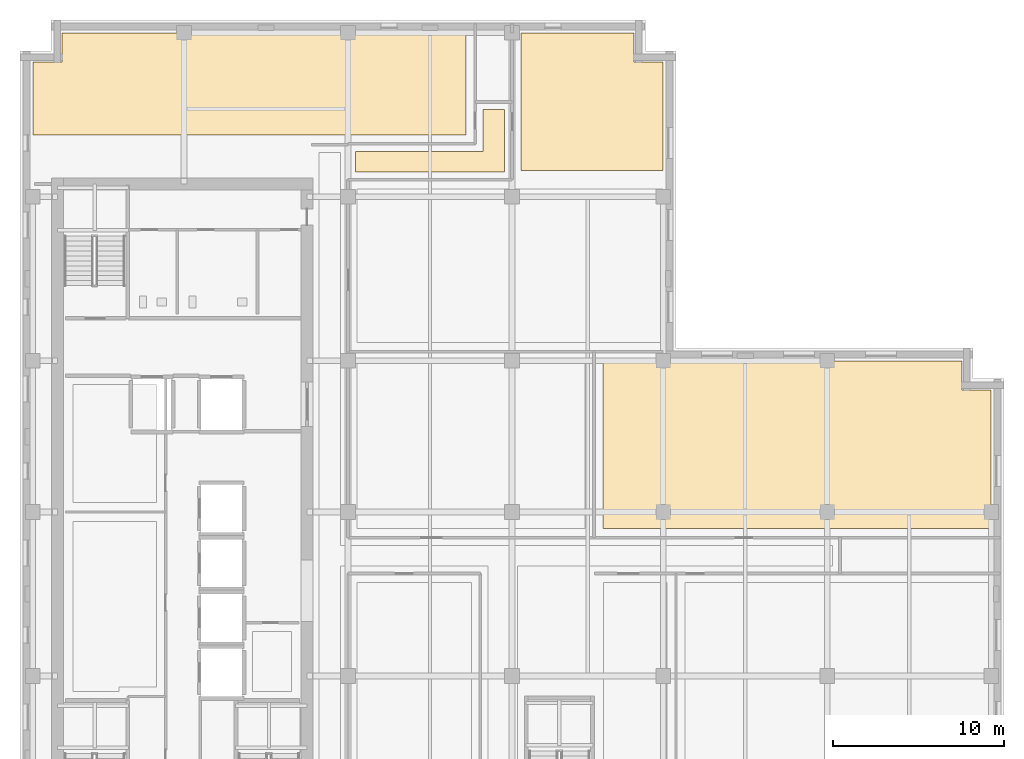
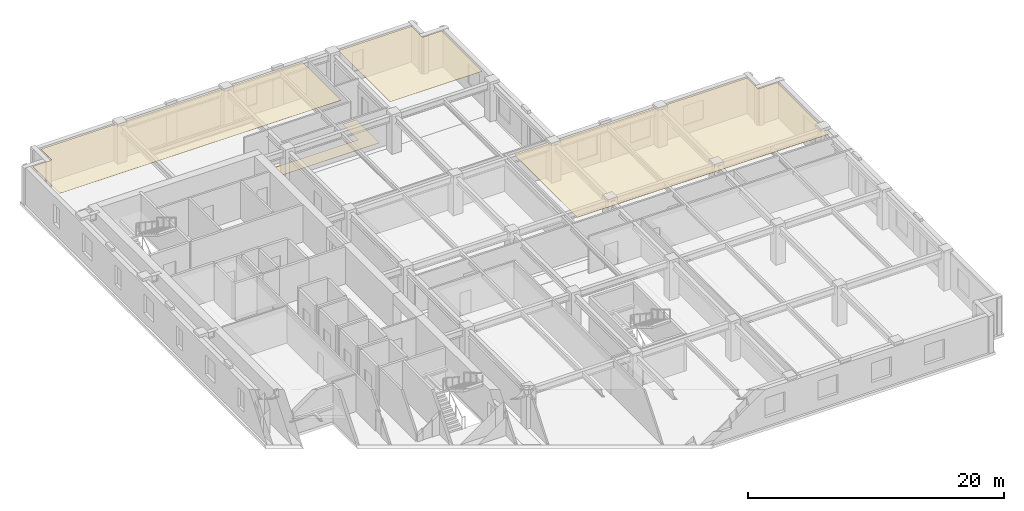
# One storey, part 13 of 14: 4 coverings.
"""IFC4 building model written with IfcOpenShell, lengths in metres."""

from ifc_helpers import new_model, si_unit, direction, frame, origin, place, context, subcontext, project, spatial, polyline, outline, extrude, material, layer, layer_set, type_object, element, save


model = new_model("IFC4")

# Units and contexts
model_context = context("Model", 3, precision=1e-05, world=origin(), true_north=direction((0.0, 1.0)))
body_context = subcontext(model_context, "Body", "Model", "MODEL_VIEW")
ifc_project = project(units=[si_unit("LENGTHUNIT", "METRE"), si_unit("AREAUNIT", "SQUARE_METRE"), si_unit("VOLUMEUNIT", "CUBIC_METRE"), si_unit("PLANEANGLEUNIT", "RADIAN"), si_unit("MASSUNIT", "GRAM", prefix="KILO")], contexts=[model_context])

# Site, building, storey
site_placement = place(None, origin())
site = spatial("IfcSite", under=ifc_project, at=site_placement, CompositionType="ELEMENT")
building_placement = place(site_placement, origin())
building = spatial("IfcBuilding", under=site, at=building_placement, Name="Norrvale University Quadrangle", CompositionType="ELEMENT")
storey_placement = place(building_placement, frame((0.0, 0.0, 214.199951171875)))
storey = spatial("IfcBuildingStorey", under=building, at=storey_placement, Name="L54", CompositionType="ELEMENT", Elevation=214.199951171875)

# Coverings
ifc_material_1 = material(Name="Perforated Acoustic Mineral Ceiling")
ifc_layer_1 = layer(ifc_material_1, 0.02490234375, Name="Perforated Acoustic Mineral Ceiling")
ifc_layer_set_1 = layer_set([ifc_layer_1], Name="Perforated Acoustic Mineral Ceiling")
covering_type_1 = type_object("IfcCoveringType", Name="Covering Acoustic Ceiling 25", PredefinedType="CEILING", material=ifc_layer_set_1)
covering_1_placement = place(storey_placement, frame((0.0, 0.0, 3.51513671875)))
element("IfcCovering", 1, at=covering_1_placement, inside=storey, type_object=covering_type_1, Name="Acoustic Ceiling RM-L54-ME02", PredefinedType="CEILING", context=body_context, shape_type="SweptSolid", body=[
    extrude(outline(polyline([(56.85009765625, 27.830078125), (34.1298828125, 27.830078125), (34.1298828125, 37.64990234375), (55.1298828125, 37.64990234375), (55.1298828125, 35.929931640625), (56.85009765625, 35.929931640625), (56.85009765625, 27.830078125)])), origin(), (0.0, 0.0, 1.0), 0.02490234375),
])
covering_2_placement = place(storey_placement, frame((0.0, 0.0, 3.51513671875)))
element("IfcCovering", 2, at=covering_2_placement, inside=storey, type_object=covering_type_1, Name="Acoustic Ceiling RM-L54-NE01", PredefinedType="CEILING", context=body_context, shape_type="SweptSolid", body=[
    extrude(outline(polyline([(37.64990234375, 48.780029296875), (29.330078125, 48.780029296875), (29.330078125, 56.85009765625), (35.929931640625, 56.85009765625), (35.929931640625, 55.1298828125), (37.64990234375, 55.1298828125), (37.64990234375, 48.780029296875)])), origin(), (0.0, 0.0, 1.0), 0.02490234375),
])
covering_3_placement = place(storey_placement, frame((0.0, 0.0, 3.51513671875)))
element("IfcCovering", 3, at=covering_3_placement, inside=storey, type_object=covering_type_1, Name="Acoustic Ceiling RM-L54-NW01", PredefinedType="CEILING", context=body_context, shape_type="SweptSolid", body=[
    extrude(outline(polyline([(26.1201171875, 56.85009765625), (26.1201171875, 50.8798828125), (0.75, 50.8798828125), (0.75, 55.1298828125), (2.469970703125, 55.1298828125), (2.469970703125, 56.85009765625), (26.1201171875, 56.85009765625)])), origin(), (0.0, 0.0, 1.0), 0.02490234375),
])
ifc_material_2 = material(Name="Polished Terrazzo Flooring")
ifc_layer_2 = layer(ifc_material_2, 0.02490234375, Name="Polished Terrazzo Flooring")
ifc_layer_set_2 = layer_set([ifc_layer_2], Name="Polished Terrazzo Flooring")
covering_type_2 = type_object("IfcCoveringType", Name="Covering Terrazzo Floor 30", PredefinedType="FLOORING", material=ifc_layer_set_2)
covering_4_placement = place(storey_placement, origin())
element("IfcCovering", 4, at=covering_4_placement, inside=storey, type_object=covering_type_2, Name="Terrazzo Flooring RM-L54-NCJOG", PredefinedType="FLOORING", context=body_context, shape_type="SweptSolid", body=[
    extrude(outline(polyline([(19.64990234375, 48.699951171875), (19.64990234375, 49.89990234375), (27.10009765625, 49.89990234375), (27.10009765625, 52.35009765625), (28.35009765625, 52.35009765625), (28.35009765625, 48.699951171875), (19.64990234375, 48.699951171875)])), origin(), (0.0, 0.0, 1.0), 0.025146484375),
])

save(model, "model.ifc")
